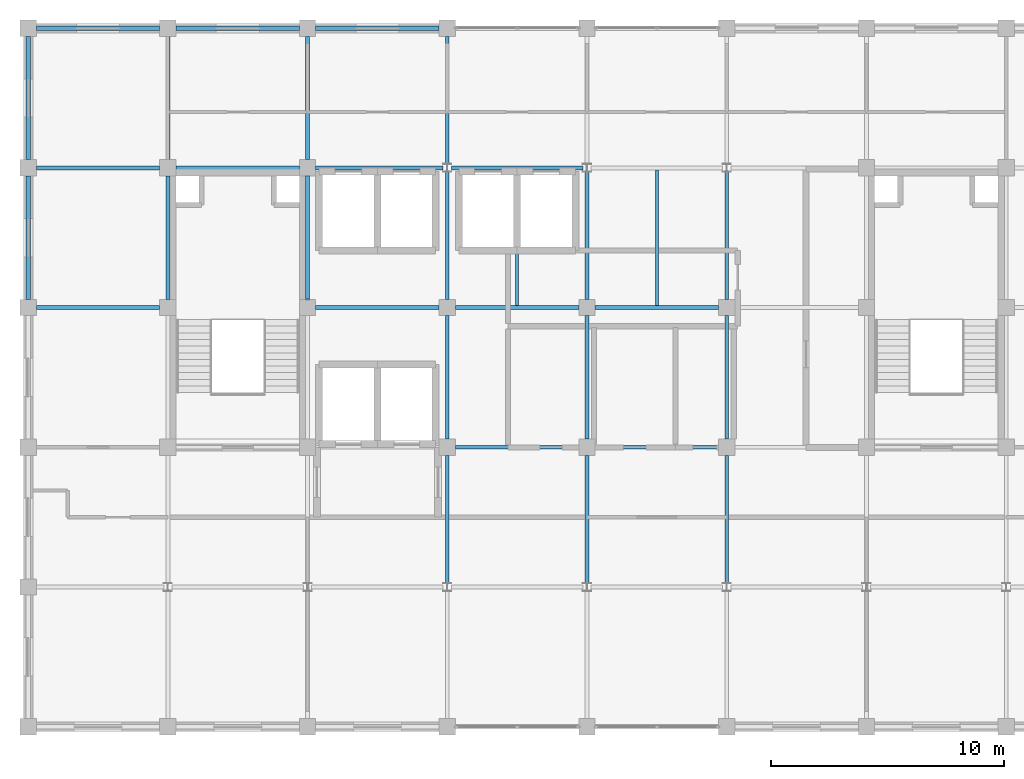
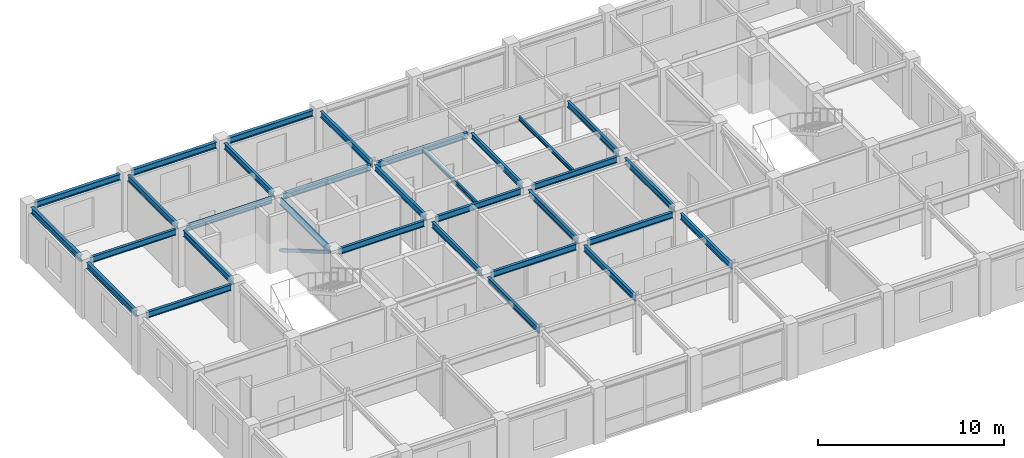
# One storey, part 6 of 13: 31 beams, 1 member.
"""IFC4 building model written with IfcOpenShell, lengths in metres."""

from ifc_helpers import new_model, si_unit, direction, frame, origin, origin_2d, place, context, subcontext, project, spatial, hollow_rectangle, i_section, extrude, material, material_profile, profile_set, type_object, element, save


model = new_model("IFC4")

# Units and contexts
model_context = context("Model", 3, precision=1e-05, world=origin(), true_north=direction((0.0, 1.0)))
body_context = subcontext(model_context, "Body", "Model", "MODEL_VIEW")
ifc_project = project(units=[si_unit("LENGTHUNIT", "METRE"), si_unit("AREAUNIT", "SQUARE_METRE"), si_unit("VOLUMEUNIT", "CUBIC_METRE"), si_unit("PLANEANGLEUNIT", "RADIAN"), si_unit("MASSUNIT", "GRAM", prefix="KILO")], contexts=[model_context])

# Site, building, storey
site_placement = place(None, origin())
site = spatial("IfcSite", under=ifc_project, at=site_placement, CompositionType="ELEMENT")
building_placement = place(site_placement, origin())
building = spatial("IfcBuilding", under=site, at=building_placement, Name="Zlatovratsky Civic Hall", CompositionType="ELEMENT")
storey_placement = place(building_placement, frame((0.0, 0.0, 48.300048828125)))
storey = spatial("IfcBuildingStorey", under=building, at=storey_placement, Name="L12", CompositionType="ELEMENT", Elevation=48.300048828125)

# Beams
ifc_material = material(Name="Steel S355", Category="steel")
ifc_material_profile_1 = material_profile(ifc_material, i_section(OverallWidth=0.199951171875, OverallDepth=0.39990234375, WebThickness=0.008056640625, FlangeThickness=0.012939453125, FilletRadius=0.014892578125, at=origin_2d()), Name="40B2")
ifc_profile_set_1 = profile_set([ifc_material_profile_1], Name="Steel S355")
beam_type_1 = type_object("IfcBeamType", Name="Beam_Spandrel_40B2", PredefinedType="SPANDREL", material=ifc_profile_set_1)
for number, where, z_axis, x_axis, name in (
    (1, (60.35009765625, 102.0, 3.47998046875), (1.0, 0.0, 0.0), (0.0, 1.0, 0.0), "BM-4834"),
    (2, (66.35009765625, 102.0, 3.47998046875), (1.0, 0.0, 0.0), (0.0, 1.0, 0.0), "BM-4835"),
    (3, (72.35009765625, 102.0, 3.47998046875), (1.0, 0.0, 0.0), (0.0, 1.0, 0.0), "BM-4836"),
    (4, (60.0, 90.35009765625, 3.47998046875), (0.0, 1.0, 0.0), (-1.0, 0.0, 0.0), "BM-4845"),
    (5, (60.0, 96.35009765625, 3.47998046875), (0.0, 1.0, 0.0), (-1.0, 0.0, 0.0), "BM-4846"),
):
    element("IfcBeam", number, at=place(storey_placement, frame(where, z_axis=z_axis, x_axis=x_axis)), inside=storey, type_object=beam_type_1, Name=name, PredefinedType="SPANDREL", context=body_context, shape_type="SweptSolid", body=[
        extrude(i_section(OverallWidth=0.199951171875, OverallDepth=0.39990234375, WebThickness=0.008056640625, FlangeThickness=0.012939453125, FilletRadius=0.014892578125, at=origin_2d()), origin(), (0.0, 0.0, 1.0), 5.2998046875),
    ])
ifc_material_profile_2 = material_profile(ifc_material, i_section(OverallWidth=0.1650390625, OverallDepth=0.39208984375, WebThickness=0.006591796875, FlangeThickness=0.009521484375, FilletRadius=0.014892578125, at=origin_2d()), Name="40B1")
ifc_profile_set_2 = profile_set([ifc_material_profile_2], Name="Steel S355")
beam_type_2 = type_object("IfcBeamType", Name="Beam_Tie_40B1", PredefinedType="BEAM", material=ifc_profile_set_2)
for number, where, z_axis, x_axis, name in (
    (6, (78.35009765625, 84.0, 3.48388671875), (1.0, 0.0, 0.0), (0.0, 1.0, 0.0), "BM-4815"),
    (7, (84.35009765625, 84.0, 3.48388671875), (1.0, 0.0, 0.0), (0.0, 1.0, 0.0), "BM-4816"),
    (8, (60.35009765625, 90.0, 3.48388671875), (1.0, 0.0, 0.0), (0.0, 1.0, 0.0), "BM-4820"),
    (9, (72.35009765625, 90.0, 3.48388671875), (1.0, 0.0, 0.0), (0.0, 1.0, 0.0), "BM-4821"),
    (10, (78.35009765625, 90.0, 3.48388671875), (1.0, 0.0, 0.0), (0.0, 1.0, 0.0), "BM-4822"),
    (11, (84.35009765625, 90.0, 3.48388671875), (1.0, 0.0, 0.0), (0.0, 1.0, 0.0), "BM-4823"),
    (12, (60.35009765625, 96.0, 3.48388671875), (1.0, 0.0, 0.0), (0.0, 1.0, 0.0), "BM-4826"),
    (13, (66.35009765625, 96.0, 3.48388671875), (1.0, 0.0, 0.0), (0.0, 1.0, 0.0), "BM-4827"),
):
    element("IfcBeam", number, at=place(storey_placement, frame(where, z_axis=z_axis, x_axis=x_axis)), inside=storey, type_object=beam_type_2, Name=name, PredefinedType="BEAM", context=body_context, shape_type="SweptSolid", body=[
        extrude(i_section(OverallWidth=0.1650390625, OverallDepth=0.39208984375, WebThickness=0.006591796875, FlangeThickness=0.009521484375, FilletRadius=0.014892578125, at=origin_2d()), origin(), (0.0, 0.0, 1.0), 5.2998046875),
    ])
beam_1_placement = place(storey_placement, frame((72.35009765625, 96.0, 3.48388671875), z_axis=(1.0, 0.0, 0.0), x_axis=(0.0, 1.0, 0.0)))
element("IfcBeam", 14, at=beam_1_placement, inside=storey, type_object=beam_type_2, Name="BM-4828", PredefinedType="BEAM", context=body_context, shape_type="SweptSolid", body=[
    extrude(i_section(OverallWidth=0.1650390625, OverallDepth=0.39208984375, WebThickness=0.006591796875, FlangeThickness=0.009521484375, FilletRadius=0.014892578125, at=origin_2d()), origin(), (0.0, 0.0, 1.0), 5.474853515625),
])
beam_2_placement = place(storey_placement, frame((78.175048828125, 96.0, 3.48388671875), z_axis=(1.0, 0.0, 0.0), x_axis=(0.0, 1.0, 0.0)))
element("IfcBeam", 15, at=beam_2_placement, inside=storey, type_object=beam_type_2, Name="BM-4829", PredefinedType="BEAM", context=body_context, shape_type="SweptSolid", body=[
    extrude(i_section(OverallWidth=0.1650390625, OverallDepth=0.39208984375, WebThickness=0.006591796875, FlangeThickness=0.009521484375, FilletRadius=0.014892578125, at=origin_2d()), origin(), (0.0, 0.0, 1.0), 5.64990234375),
])
for number, where, z_axis, x_axis, name in (
    (16, (66.0, 90.35009765625, 3.48388671875), (0.0, 1.0, 0.0), (-1.0, 0.0, 0.0), "BM-4850"),
    (17, (66.0, 96.35009765625, 3.48388671875), (0.0, 1.0, 0.0), (-1.0, 0.0, 0.0), "BM-4851"),
    (18, (72.0, 90.35009765625, 3.48388671875), (0.0, 1.0, 0.0), (-1.0, 0.0, 0.0), "BM-4855"),
    (19, (72.0, 96.35009765625, 3.48388671875), (0.0, 1.0, 0.0), (-1.0, 0.0, 0.0), "BM-4856"),
):
    element("IfcBeam", number, at=place(storey_placement, frame(where, z_axis=z_axis, x_axis=x_axis)), inside=storey, type_object=beam_type_2, Name=name, PredefinedType="BEAM", context=body_context, shape_type="SweptSolid", body=[
        extrude(i_section(OverallWidth=0.1650390625, OverallDepth=0.39208984375, WebThickness=0.006591796875, FlangeThickness=0.009521484375, FilletRadius=0.014892578125, at=origin_2d()), origin(), (0.0, 0.0, 1.0), 5.2998046875),
    ])
beam_3_placement = place(storey_placement, frame((78.0, 78.17138671875, 3.48388671875), z_axis=(0.0, 1.0, 0.0), x_axis=(-1.0, 0.0, 0.0)))
element("IfcBeam", 20, at=beam_3_placement, inside=storey, type_object=beam_type_2, Name="BM-4858", PredefinedType="BEAM", context=body_context, shape_type="SweptSolid", body=[
    extrude(i_section(OverallWidth=0.1650390625, OverallDepth=0.39208984375, WebThickness=0.006591796875, FlangeThickness=0.009521484375, FilletRadius=0.014892578125, at=origin_2d()), origin(), (0.0, 0.0, 1.0), 5.478515625),
])
beam_4_placement = place(storey_placement, frame((78.0, 84.35009765625, 3.48388671875), z_axis=(0.0, 1.0, 0.0), x_axis=(-1.0, 0.0, 0.0)))
element("IfcBeam", 21, at=beam_4_placement, inside=storey, type_object=beam_type_2, Name="BM-4859", PredefinedType="BEAM", context=body_context, shape_type="SweptSolid", body=[
    extrude(i_section(OverallWidth=0.1650390625, OverallDepth=0.39208984375, WebThickness=0.006591796875, FlangeThickness=0.009521484375, FilletRadius=0.014892578125, at=origin_2d()), origin(), (0.0, 0.0, 1.0), 5.2998046875),
])
for number, where, z_axis, x_axis, name in (
    (22, (78.0, 90.35009765625, 3.48388671875), (0.0, 1.0, 0.0), (-1.0, 0.0, 0.0), "BM-4860"),
    (23, (78.0, 96.17138671875, 3.48388671875), (0.0, 1.0, 0.0), (-1.0, 0.0, 0.0), "BM-4861"),
    (24, (84.0, 78.17138671875, 3.48388671875), (0.0, 1.0, 0.0), (-1.0, 0.0, 0.0), "BM-4863"),
):
    element("IfcBeam", number, at=place(storey_placement, frame(where, z_axis=z_axis, x_axis=x_axis)), inside=storey, type_object=beam_type_2, Name=name, PredefinedType="BEAM", context=body_context, shape_type="SweptSolid", body=[
        extrude(i_section(OverallWidth=0.1650390625, OverallDepth=0.39208984375, WebThickness=0.006591796875, FlangeThickness=0.009521484375, FilletRadius=0.014892578125, at=origin_2d()), origin(), (0.0, 0.0, 1.0), 5.478515625),
    ])
beam_5_placement = place(storey_placement, frame((84.0, 84.35009765625, 3.48388671875), z_axis=(0.0, 1.0, 0.0), x_axis=(-1.0, 0.0, 0.0)))
element("IfcBeam", 25, at=beam_5_placement, inside=storey, type_object=beam_type_2, Name="BM-4864", PredefinedType="BEAM", context=body_context, shape_type="SweptSolid", body=[
    extrude(i_section(OverallWidth=0.1650390625, OverallDepth=0.39208984375, WebThickness=0.006591796875, FlangeThickness=0.009521484375, FilletRadius=0.014892578125, at=origin_2d()), origin(), (0.0, 0.0, 1.0), 5.2998046875),
])
for number, where, z_axis, x_axis, name in (
    (26, (84.0, 90.35009765625, 3.48388671875), (0.0, 1.0, 0.0), (-1.0, 0.0, 0.0), "BM-4865"),
    (27, (90.0, 78.17138671875, 3.48388671875), (0.0, 1.0, 0.0), (-1.0, 0.0, 0.0), "BM-4868"),
):
    element("IfcBeam", number, at=place(storey_placement, frame(where, z_axis=z_axis, x_axis=x_axis)), inside=storey, type_object=beam_type_2, Name=name, PredefinedType="BEAM", context=body_context, shape_type="SweptSolid", body=[
        extrude(i_section(OverallWidth=0.1650390625, OverallDepth=0.39208984375, WebThickness=0.006591796875, FlangeThickness=0.009521484375, FilletRadius=0.014892578125, at=origin_2d()), origin(), (0.0, 0.0, 1.0), 5.478515625),
    ])
beam_6_placement = place(storey_placement, frame((90.0, 84.35009765625, 3.48388671875), z_axis=(0.0, 1.0, 0.0), x_axis=(-1.0, 0.0, 0.0)))
element("IfcBeam", 28, at=beam_6_placement, inside=storey, type_object=beam_type_2, Name="BM-4869", PredefinedType="BEAM", context=body_context, shape_type="SweptSolid", body=[
    extrude(i_section(OverallWidth=0.1650390625, OverallDepth=0.39208984375, WebThickness=0.006591796875, FlangeThickness=0.009521484375, FilletRadius=0.014892578125, at=origin_2d()), origin(), (0.0, 0.0, 1.0), 5.2998046875),
])
beam_7_placement = place(storey_placement, frame((90.0, 90.35009765625, 3.48388671875), z_axis=(0.0, 1.0, 0.0), x_axis=(-1.0, 0.0, 0.0)))
element("IfcBeam", 29, at=beam_7_placement, inside=storey, type_object=beam_type_2, Name="BM-4870", PredefinedType="BEAM", context=body_context, shape_type="SweptSolid", body=[
    extrude(i_section(OverallWidth=0.1650390625, OverallDepth=0.39208984375, WebThickness=0.006591796875, FlangeThickness=0.009521484375, FilletRadius=0.014892578125, at=origin_2d()), origin(), (0.0, 0.0, 1.0), 5.478515625),
])

# Member
ifc_material_profile_3 = material_profile(ifc_material, hollow_rectangle(XDim=0.179931640625, YDim=0.179931640625, WallThickness=0.008056640625, at=origin_2d()), Name="SHS 180x180x8")
ifc_profile_set_3 = profile_set([ifc_material_profile_3], Name="Steel S355")
member_type = type_object("IfcMemberType", Name="Brace_TowerMid_SHS180", PredefinedType="BRACE", material=ifc_profile_set_3)
member_placement = place(storey_placement, frame((72.0, 90.35009765625, 3.349853515625), z_axis=(0.0, 0.863189891905, -0.504879401949), x_axis=(-1.0, 0.0, 0.0)))
element("IfcMember", 30, at=member_placement, inside=storey, type_object=member_type, Name="MB-0153", PredefinedType="BRACE", context=body_context, shape_type="SweptSolid", body=[
    extrude(hollow_rectangle(XDim=0.179931640625, YDim=0.179931640625, WallThickness=0.008056640625, at=origin_2d()), origin(), (0.0, 0.0, 1.0), 6.139892578125),
])

# Beams
ifc_material_profile_4 = material_profile(ifc_material, i_section(OverallWidth=0.125, OverallDepth=0.25, WebThickness=0.006103515625, FlangeThickness=0.009033203125, FilletRadius=0.011962890625, at=origin_2d()), Name="25B2")
ifc_profile_set_4 = profile_set([ifc_material_profile_4], Name="Steel S355")
beam_type_3 = type_object("IfcBeamType", Name="Joist_Tower_25B2", PredefinedType="JOIST", material=ifc_profile_set_4)
for number, where, z_axis, x_axis, name in (
    (31, (81.0, 90.08251953125, 3.554931640625), (0.0, 1.0, 0.0), (-1.0, 0.0, 0.0), "BM-4887"),
    (32, (87.0, 90.08251953125, 3.554931640625), (0.0, 1.0, 0.0), (-1.0, 0.0, 0.0), "BM-4888"),
):
    element("IfcBeam", number, at=place(storey_placement, frame(where, z_axis=z_axis, x_axis=x_axis)), inside=storey, type_object=beam_type_3, Name=name, PredefinedType="JOIST", context=body_context, shape_type="SweptSolid", body=[
        extrude(i_section(OverallWidth=0.125, OverallDepth=0.25, WebThickness=0.006103515625, FlangeThickness=0.009033203125, FilletRadius=0.011962890625, at=origin_2d()), origin(), (0.0, 0.0, 1.0), 5.8349609375),
    ])

save(model, "model.ifc")
